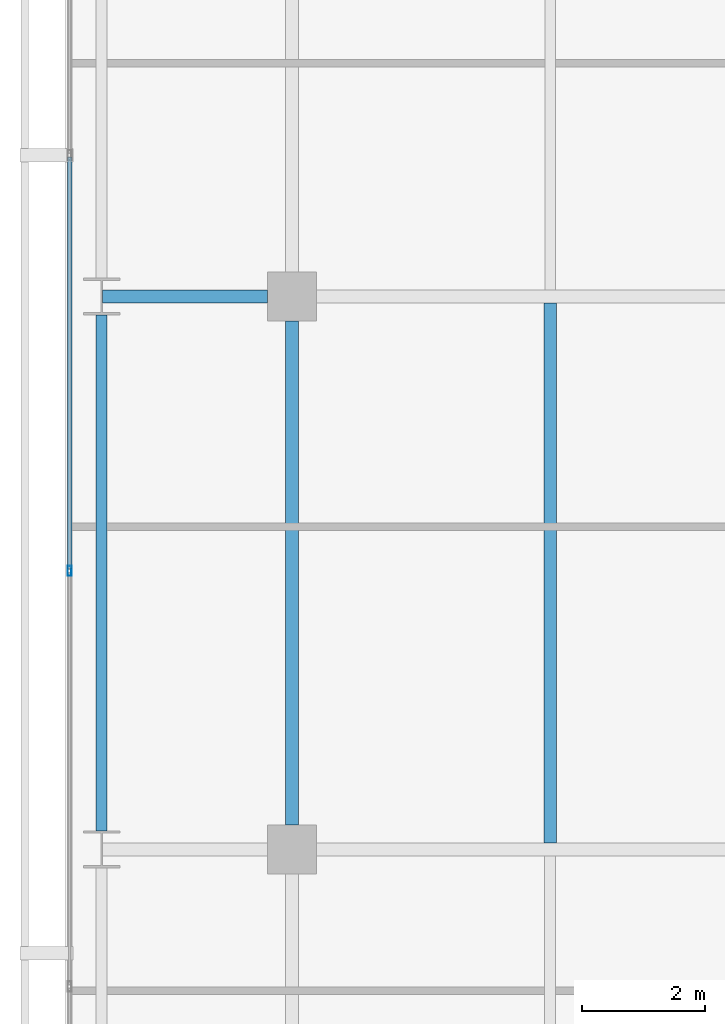
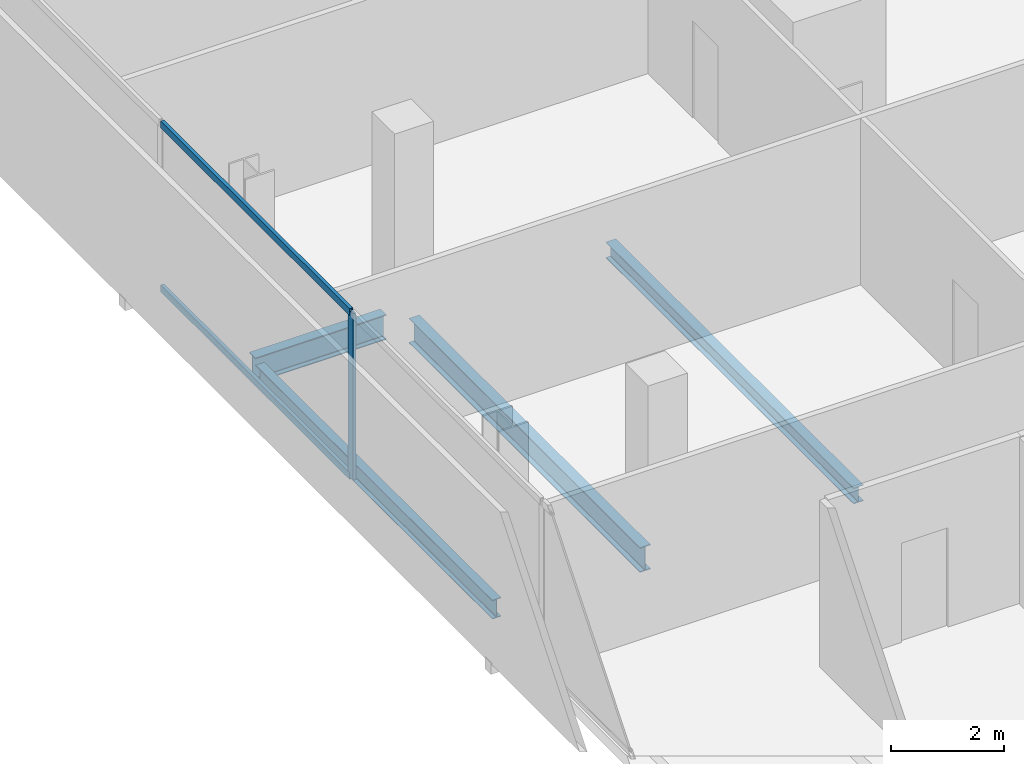
# One storey, part 8 of 33: 4 beams, 3 members, 1 element without a shape of its own.
"""IFC4 building model written with IfcOpenShell, lengths in metres."""

import ifcopenshell
import ifcopenshell.guid

model = None  # the IFC model being written
_history = None  # IfcOwnerHistory: only IFC2X3 demands one
_inside = {}  # id of a spatial element -> (the spatial element, [elements in it])
_under = {}  # id of a project, library or spatial element -> (it, [spatial elements below it])
_declared = {}  # id of a project -> (the project, [libraries it declares])
_typed = {}  # id of a type object -> (the type object, [elements of that type])
_made_of = {}  # id of a material, layer set ... -> (it, [elements and type objects made of it])


def new_model(schema):
    """Start an empty IFC model of exactly this schema.

    Asked for "IFC4X3", IfcOpenShell would pick the latest addendum, in which some entities
    have other attributes; the version numbers below select the first issue.
    IFC2X3 requires an IfcOwnerHistory on every rooted entity: one is made here for all.
    """
    global model, _history
    if schema == "IFC4X3":
        model = ifcopenshell.file(schema_version=(4, 3, 0, 0))
    else:
        model = ifcopenshell.file(schema=schema)
    _inside.clear()
    _under.clear()
    _declared.clear()
    _typed.clear()
    _made_of.clear()
    _history = None
    if model.schema == "IFC2X3":
        org = make("IfcOrganization", Name="unknown")
        user = make(
            "IfcPersonAndOrganization",
            ThePerson=make("IfcPerson", FamilyName="unknown"),
            TheOrganization=org,
        )
        app = make(
            "IfcApplication",
            ApplicationDeveloper=org,
            Version="unknown",
            ApplicationFullName="unknown",
            ApplicationIdentifier="unknown",
        )
        _history = make(
            "IfcOwnerHistory",
            OwningUser=user,
            OwningApplication=app,
            ChangeAction="ADDED",
            CreationDate=0,
        )
    return model


def make(cls, **values):
    """One entity of the class cls with the attributes given. An attribute that is None is left unset."""
    return model.create_entity(
        cls, **{name: value for name, value in values.items() if value is not None}
    )


def rooted(cls, **values):
    """An entity with a GlobalId (a new one), such as an element, a storey or a relation."""
    return make(cls, GlobalId=ifcopenshell.guid.new(), OwnerHistory=_history, **values)


def si_unit(unit_type, name, prefix=None):
    """IfcSIUnit, for example si_unit("LENGTHUNIT", "METRE", prefix="MILLI")."""
    return make("IfcSIUnit", UnitType=unit_type, Prefix=prefix, Name=name)


def assignment(units):
    """IfcUnitAssignment: the units of a project."""
    return None if units is None else make("IfcUnitAssignment", Units=units)


def point(xyz):
    """IfcCartesianPoint."""
    return None if xyz is None else make("IfcCartesianPoint", Coordinates=xyz)


def direction(xyz):
    """IfcDirection."""
    return None if xyz is None else make("IfcDirection", DirectionRatios=xyz)


def frame(location, z_axis=None, x_axis=None):
    """IfcAxis2Placement3D, a coordinate frame: its origin and axes. An axis left out is left unset."""
    return make(
        "IfcAxis2Placement3D",
        Location=point(location),
        Axis=direction(z_axis),
        RefDirection=direction(x_axis),
    )


def frame_2d(location, x_axis=None):
    """IfcAxis2Placement2D, a coordinate frame in the plane: its origin and x axis."""
    return make(
        "IfcAxis2Placement2D", Location=point(location), RefDirection=direction(x_axis)
    )


def origin():
    """The frame at (0, 0, 0) with its axes left unset."""
    return frame((0.0, 0.0, 0.0))


def origin_2d():
    """The frame at (0, 0) in the plane with its x axis left unset."""
    return frame_2d((0.0, 0.0))


def place(relative_to, where):
    """IfcLocalPlacement: puts the frame where relative to a parent placement (None: the world)."""
    return make(
        "IfcLocalPlacement", PlacementRelTo=relative_to, RelativePlacement=where
    )


def context(
    kind, dimensions, precision=None, world=None, true_north=None, identifier=None
):
    """IfcGeometricRepresentationContext, for example the 3D "Model" context."""
    return make(
        "IfcGeometricRepresentationContext",
        ContextIdentifier=identifier,
        ContextType=kind,
        CoordinateSpaceDimension=dimensions,
        Precision=precision,
        WorldCoordinateSystem=world,
        TrueNorth=true_north,
    )


def subcontext(parent, identifier, kind, view, scale=None):
    """IfcGeometricRepresentationSubContext, for example "Body" below "Model"."""
    return make(
        "IfcGeometricRepresentationSubContext",
        ContextIdentifier=identifier,
        ContextType=kind,
        ParentContext=parent,
        TargetScale=scale,
        TargetView=view,
    )


def project(units=None, contexts=None):
    """IfcProject with its units and contexts."""
    return rooted(
        "IfcProject",
        Name="project",
        RepresentationContexts=contexts,
        UnitsInContext=assignment(units),
    )


def spatial(cls, under=None, at=None, **own):
    """A site, building, storey or space (cls), placed at a placement, below another one or the project."""
    s = rooted(cls, ObjectPlacement=at, **own)
    if under is not None:
        _under.setdefault(under.id(), (under, []))[1].append(s)
    return s


def profile(cls, at=None, kind="AREA", **sizes):
    """A parametric profile (cls). Its sizes go by their IFC names, for example OverallWidth=200.0."""
    return make(cls, ProfileType=kind, Position=at, **sizes)


def hollow_rectangle(**sizes):
    """IfcRectangleHollowProfileDef."""
    return profile("IfcRectangleHollowProfileDef", **sizes)


def i_section(**sizes):
    """IfcIShapeProfileDef."""
    return profile("IfcIShapeProfileDef", **sizes)


def extrude(swept, where, along, depth):
    """IfcExtrudedAreaSolid: the profile swept, set in the frame where, extruded along a direction by depth."""
    return make(
        "IfcExtrudedAreaSolid",
        SweptArea=swept,
        Position=where,
        ExtrudedDirection=direction(along),
        Depth=depth,
    )


def shape(context_of_items, identifier, shape_type, items):
    """IfcShapeRepresentation: the items that make up one representation, for example the "Body"."""
    return make(
        "IfcShapeRepresentation",
        ContextOfItems=context_of_items,
        RepresentationIdentifier=identifier,
        RepresentationType=shape_type,
        Items=items,
    )


def material(Name=None, Category=None):
    """IfcMaterial."""
    return make("IfcMaterial", Name=Name, Category=Category)


def layer(
    of_material, thickness, ventilated=None, Name=None, Category=None, Priority=None
):
    """IfcMaterialLayer: one layer of a wall or slab, of a material (None: an air gap)."""
    return make(
        "IfcMaterialLayer",
        Material=of_material,
        LayerThickness=thickness,
        IsVentilated=ventilated,
        Name=Name,
        Category=Category,
        Priority=Priority,
    )


def layer_set(layers, Name=None):
    """IfcMaterialLayerSet."""
    return make("IfcMaterialLayerSet", MaterialLayers=layers, LayerSetName=Name)


def material_profile(
    of_material, cross_section, Name=None, Category=None, Priority=None
):
    """IfcMaterialProfile: a cross section and its material."""
    return make(
        "IfcMaterialProfile",
        Name=Name,
        Material=of_material,
        Profile=cross_section,
        Priority=Priority,
        Category=Category,
    )


def profile_set(profiles, Name=None, composite=None):
    """IfcMaterialProfileSet."""
    return make(
        "IfcMaterialProfileSet",
        Name=Name,
        MaterialProfiles=profiles,
        CompositeProfile=composite,
    )


def made_of(thing, what):
    """Note that an element or type object is made of a material, layer set ...; save() writes the relation."""
    if what is not None:
        _made_of.setdefault(what.id(), (what, []))[1].append(thing)
    return thing


def type_object(cls, material=None, **own):
    """A type object (cls), such as IfcWallType, which elements share."""
    return made_of(rooted(cls, **own), material)


def element(
    cls,
    number,
    at=None,
    inside=None,
    cuts=None,
    type_object=None,
    material=None,
    context=None,
    identifier="Body",
    shape_type=None,
    held_by="IfcProductDefinitionShape",
    body=None,
    shapes=None,
    **own,
):
    """One element of the class cls, such as IfcWall. Its Tag is "e" and its number.

    at: its placement. inside: the storey or other place that contains it. cuts: it is an
    opening in that element (IfcRelVoidsElement). A single representation is given by context,
    identifier, shape_type and body (its items); several are given by shapes. held_by: the class
    of the entity that holds the representations. save() writes the other relations.
    """
    e = rooted(cls, Tag="e%d" % number, ObjectPlacement=at, **own)
    if body is not None:
        shapes = [shape(context, identifier, shape_type, body)]
    if shapes is not None:
        e.Representation = make(held_by, Representations=shapes)
    if inside is not None:
        _inside.setdefault(inside.id(), (inside, []))[1].append(e)
    if cuts is not None:
        rooted(
            "IfcRelVoidsElement", RelatingBuildingElement=cuts, RelatedOpeningElement=e
        )
    if type_object is not None:
        _typed.setdefault(type_object.id(), (type_object, []))[1].append(e)
    return made_of(e, material)


def aggregate(whole, parts):
    """IfcRelAggregates: a whole, such as a stair, and the parts it consists of."""
    return rooted("IfcRelAggregates", RelatingObject=whole, RelatedObjects=parts)


def save(model, path):
    """Write the relations noted so far, then the file.

    IfcRelAggregates (storeys below a building ...), IfcRelContainedInSpatialStructure (elements
    in a storey), IfcRelDefinesByType, IfcRelAssociatesMaterial and IfcRelDeclares: one each for
    every whole, place, type object, material and project.
    """
    for whole, parts in _under.values():
        aggregate(whole, parts)
    for where, things in _inside.values():
        rooted(
            "IfcRelContainedInSpatialStructure",
            RelatedElements=things,
            RelatingStructure=where,
        )
    for kind, things in _typed.values():
        rooted("IfcRelDefinesByType", RelatedObjects=things, RelatingType=kind)
    for what, things in _made_of.values():
        rooted("IfcRelAssociatesMaterial", RelatedObjects=things, RelatingMaterial=what)
    for by, libraries in _declared.values():
        rooted("IfcRelDeclares", RelatingContext=by, RelatedDefinitions=libraries)
    model.write(path)


model = new_model("IFC4")

# Units and contexts
model_context = context("Model", 3, precision=1e-05, world=origin(), true_north=direction((0.0, 1.0)))
body_context = subcontext(model_context, "Body", "Model", "MODEL_VIEW")
ifc_project = project(units=[si_unit("LENGTHUNIT", "METRE"), si_unit("AREAUNIT", "SQUARE_METRE"), si_unit("VOLUMEUNIT", "CUBIC_METRE"), si_unit("PLANEANGLEUNIT", "RADIAN"), si_unit("MASSUNIT", "GRAM", prefix="KILO")], contexts=[model_context])

# Site, building, storey
site_placement = place(None, origin())
site = spatial("IfcSite", under=ifc_project, at=site_placement, CompositionType="ELEMENT")
building_placement = place(site_placement, origin())
building = spatial("IfcBuilding", under=site, at=building_placement, Name="Maruvema Waterfront Hotel and Observation Tower", CompositionType="ELEMENT")
storey_placement = place(building_placement, frame((0.0, 0.0, 200.550048828125)))
storey = spatial("IfcBuildingStorey", under=building, at=storey_placement, Name="L49", CompositionType="ELEMENT", Elevation=200.550048828125)

# Curtain wall, members
ifc_material_1 = material(Name="Anodised bronze aluminium and solar-control low-E IGU", Category="aluminium")
ifc_layer = layer(ifc_material_1, 0.159912109375, Name="Zone 2 Amber Inner Thermal Curtain Wall System CW-03")
ifc_layer_set = layer_set([ifc_layer], Name="Anodised bronze aluminium and solar-control low-E IGU")
curtain_wall_type = type_object("IfcCurtainWallType", Name="Zone 2 Amber Inner Thermal Curtain Wall System CW-03", PredefinedType="USERDEFINED", material=ifc_layer_set)
curtain_wall_placement = place(storey_placement, origin())
curtain_wall = element("IfcCurtainWall", 1, at=curtain_wall_placement, inside=storey, type_object=curtain_wall_type, Name="L49 Curtain Wall CW-L49-W", ObjectType="UNITISED CURTAIN WALL", PredefinedType="USERDEFINED")
ifc_material_2 = material(Name="Anodised architectural bronze aluminium", Category="aluminium")
ifc_material_profile_1 = material_profile(ifc_material_2, hollow_rectangle(XDim=0.070068359375, YDim=0.14990234375, WallThickness=0.00390625, at=origin_2d()), Name="ALU-T70x150")
ifc_profile_set_1 = profile_set([ifc_material_profile_1], Name="Anodised architectural bronze aluminium")
member_type_1 = type_object("IfcMemberType", Name="Curtain Wall Horizontal Transom ALU-T70x150", PredefinedType="USERDEFINED", material=ifc_profile_set_1)
member_1_placement = place(storey_placement, frame((13.179931640625, 29.27001953125, 0.030029296875), z_axis=(0.0, -1.0, 0.0), x_axis=(1.0, 0.0, 0.0)))
member_1 = element("IfcMember", 2, at=member_1_placement, type_object=member_type_1, Name="CW-03 transom 4.1", ObjectType="TRANSOM", PredefinedType="USERDEFINED", context=body_context, shape_type="SweptSolid", body=[
    extrude(hollow_rectangle(XDim=0.070068359375, YDim=0.14990234375, WallThickness=0.00390625, at=origin_2d()), origin(), (0.0, 0.0, 1.0), 6.706787109375),
])
member_2_placement = place(storey_placement, frame((13.179931640625, 29.27001953125, 3.579833984375), z_axis=(0.0, -1.0, 0.0), x_axis=(1.0, 0.0, 0.0)))
member_2 = element("IfcMember", 3, at=member_2_placement, type_object=member_type_1, Name="CW-03 transom 4.2", ObjectType="TRANSOM", PredefinedType="USERDEFINED", context=body_context, shape_type="SweptSolid", body=[
    extrude(hollow_rectangle(XDim=0.070068359375, YDim=0.14990234375, WallThickness=0.00390625, at=origin_2d()), origin(), (0.0, 0.0, 1.0), 6.706787109375),
])
ifc_material_3 = material(Name="Anodised architectural bronze aluminium", Category="aluminium")
ifc_material_profile_2 = material_profile(ifc_material_3, hollow_rectangle(XDim=0.06494140625, YDim=0.1650390625, WallThickness=0.00390625, at=origin_2d()), Name="ALU-M65x165")
ifc_profile_set_2 = profile_set([ifc_material_profile_2], Name="Anodised architectural bronze aluminium")
member_type_2 = type_object("IfcMemberType", Name="Curtain Wall Primary Mullion ALU-M65x165", PredefinedType="MULLION", material=ifc_profile_set_2)
member_3_placement = place(storey_placement, frame((13.179931640625, 22.533447265625, 0.0), z_axis=(0.0, 0.0, 1.0), x_axis=(1.0, 0.0, 0.0)))
member_3 = element("IfcMember", 4, at=member_3_placement, type_object=member_type_2, Name="CW-03 mullion 5", PredefinedType="MULLION", context=body_context, shape_type="SweptSolid", body=[
    extrude(hollow_rectangle(XDim=0.06494140625, YDim=0.1650390625, WallThickness=0.00390625, at=origin_2d()), origin(), (0.0, 0.0, 1.0), 3.60986328125),
])
aggregate(curtain_wall, [member_3, member_1, member_2])

# Beams
ifc_material_4 = material(Name="Steel ASTM A572 Grade 50", Category="steel")
ifc_material_profile_3 = material_profile(ifc_material_4, i_section(OverallWidth=0.178955078125, OverallDepth=0.409912109375, WebThickness=0.0087890625, FlangeThickness=0.014404296875, FilletRadius=0.014892578125, at=origin_2d()), Name="W410x67.0")
ifc_profile_set_3 = profile_set([ifc_material_profile_3], Name="Steel ASTM A572 Grade 50")
beam_type_1 = type_object("IfcBeamType", Name="Perimeter Spandrel Beam W410x67.0", PredefinedType="SPANDREL", material=ifc_profile_set_3)
beam_1_placement = place(storey_placement, frame((13.699951171875, 18.300048828125, -0.445068359375), z_axis=(0.0, 1.0, 0.0), x_axis=(-1.0, 0.0, 0.0)))
element("IfcBeam", 5, at=beam_1_placement, inside=storey, type_object=beam_type_1, Name="L49 Floor Girder NS-02", PredefinedType="SPANDREL", context=body_context, shape_type="SweptSolid", body=[
    extrude(i_section(OverallWidth=0.178955078125, OverallDepth=0.409912109375, WebThickness=0.0087890625, FlangeThickness=0.014404296875, FilletRadius=0.014892578125, at=origin_2d()), origin(), (0.0, 0.0, 1.0), 8.39990234375),
])
ifc_material_5 = material(Name="Steel ASTM A572 Grade 50", Category="steel")
ifc_material_profile_4 = material_profile(ifc_material_5, i_section(OverallWidth=0.2109375, OverallDepth=0.5390625, WebThickness=0.01171875, FlangeThickness=0.018798828125, FilletRadius=0.014892578125, at=origin_2d()), Name="W530x109.0")
ifc_profile_set_4 = profile_set([ifc_material_profile_4], Name="Steel ASTM A572 Grade 50")
beam_type_2 = type_object("IfcBeamType", Name="Primary Floor Girder W530x109.0", PredefinedType="BEAM", material=ifc_profile_set_4)
beam_2_placement = place(storey_placement, frame((13.71240234375, 27.0, -0.509521484375), z_axis=(1.0, 0.0, 0.0), x_axis=(0.0, 1.0, 0.0)))
element("IfcBeam", 6, at=beam_2_placement, inside=storey, type_object=beam_type_2, Name="L49 Floor Girder EW-18", PredefinedType="BEAM", context=body_context, shape_type="SweptSolid", body=[
    extrude(i_section(OverallWidth=0.2109375, OverallDepth=0.5390625, WebThickness=0.01171875, FlangeThickness=0.018798828125, FilletRadius=0.014892578125, at=origin_2d()), origin(), (0.0, 0.0, 1.0), 2.6875),
])
beam_3_placement = place(storey_placement, frame((16.800048828125, 18.39990234375, -0.509521484375), z_axis=(0.0, 1.0, 0.0), x_axis=(-1.0, 0.0, 0.0)))
element("IfcBeam", 7, at=beam_3_placement, inside=storey, type_object=beam_type_2, Name="L49 Floor Girder NS-06", PredefinedType="BEAM", context=body_context, shape_type="SweptSolid", body=[
    extrude(i_section(OverallWidth=0.2109375, OverallDepth=0.5390625, WebThickness=0.01171875, FlangeThickness=0.018798828125, FilletRadius=0.014892578125, at=origin_2d()), origin(), (0.0, 0.0, 1.0), 8.2001953125),
])
ifc_material_6 = material(Name="Steel ASTM A572 Grade 50", Category="steel")
ifc_material_profile_5 = material_profile(ifc_material_6, i_section(OverallWidth=0.202880859375, OverallDepth=0.346923828125, WebThickness=0.0078125, FlangeThickness=0.013427734375, FilletRadius=0.014892578125, at=origin_2d()), Name="W360x64.0")
ifc_profile_set_5 = profile_set([ifc_material_profile_5], Name="Steel ASTM A572 Grade 50")
beam_type_3 = type_object("IfcBeamType", Name="Secondary Floor Joist W360x64.0", PredefinedType="JOIST", material=ifc_profile_set_5)
beam_4_placement = place(storey_placement, frame((21.0, 18.10546875, -0.41357421875), z_axis=(0.0, 1.0, 0.0), x_axis=(-1.0, 0.0, 0.0)))
element("IfcBeam", 8, at=beam_4_placement, inside=storey, type_object=beam_type_3, Name="L49 Secondary Floor Joist JS-02", PredefinedType="JOIST", context=body_context, shape_type="SweptSolid", body=[
    extrude(i_section(OverallWidth=0.202880859375, OverallDepth=0.346923828125, WebThickness=0.0078125, FlangeThickness=0.013427734375, FilletRadius=0.014892578125, at=origin_2d()), origin(), (0.0, 0.0, 1.0), 8.7890625),
])

save(model, "model.ifc")
